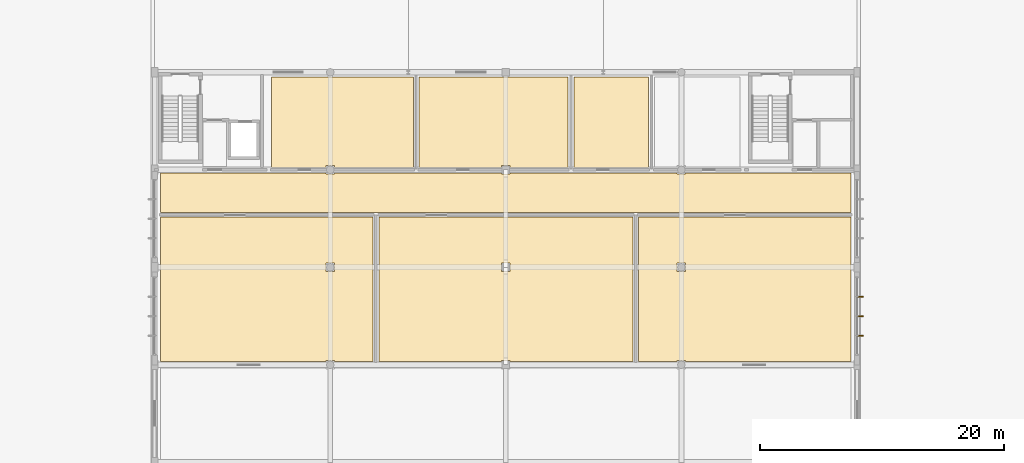
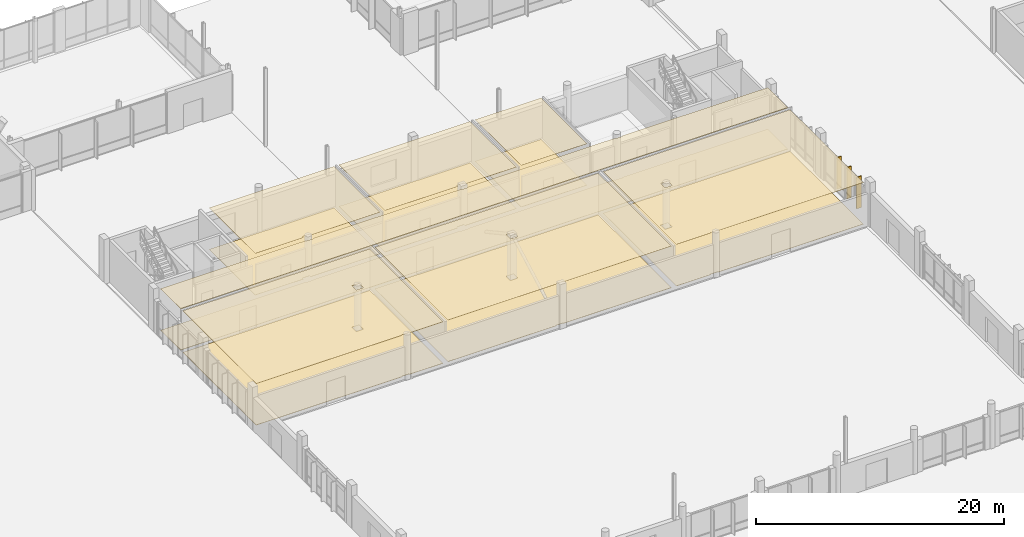
# One storey, part 222 of 233: 14 coverings, 3 shading devices.
"""IFC4 building model written with IfcOpenShell, lengths in metres."""

import ifcopenshell
import ifcopenshell.guid

model = None  # the IFC model being written
_history = None  # IfcOwnerHistory: only IFC2X3 demands one
_inside = {}  # id of a spatial element -> (the spatial element, [elements in it])
_under = {}  # id of a project, library or spatial element -> (it, [spatial elements below it])
_declared = {}  # id of a project -> (the project, [libraries it declares])
_typed = {}  # id of a type object -> (the type object, [elements of that type])
_made_of = {}  # id of a material, layer set ... -> (it, [elements and type objects made of it])


def new_model(schema):
    """Start an empty IFC model of exactly this schema.

    Asked for "IFC4X3", IfcOpenShell would pick the latest addendum, in which some entities
    have other attributes; the version numbers below select the first issue.
    IFC2X3 requires an IfcOwnerHistory on every rooted entity: one is made here for all.
    """
    global model, _history
    if schema == "IFC4X3":
        model = ifcopenshell.file(schema_version=(4, 3, 0, 0))
    else:
        model = ifcopenshell.file(schema=schema)
    _inside.clear()
    _under.clear()
    _declared.clear()
    _typed.clear()
    _made_of.clear()
    _history = None
    if model.schema == "IFC2X3":
        org = make("IfcOrganization", Name="unknown")
        user = make(
            "IfcPersonAndOrganization",
            ThePerson=make("IfcPerson", FamilyName="unknown"),
            TheOrganization=org,
        )
        app = make(
            "IfcApplication",
            ApplicationDeveloper=org,
            Version="unknown",
            ApplicationFullName="unknown",
            ApplicationIdentifier="unknown",
        )
        _history = make(
            "IfcOwnerHistory",
            OwningUser=user,
            OwningApplication=app,
            ChangeAction="ADDED",
            CreationDate=0,
        )
    return model


def make(cls, **values):
    """One entity of the class cls with the attributes given. An attribute that is None is left unset."""
    return model.create_entity(
        cls, **{name: value for name, value in values.items() if value is not None}
    )


def rooted(cls, **values):
    """An entity with a GlobalId (a new one), such as an element, a storey or a relation."""
    return make(cls, GlobalId=ifcopenshell.guid.new(), OwnerHistory=_history, **values)


def si_unit(unit_type, name, prefix=None):
    """IfcSIUnit, for example si_unit("LENGTHUNIT", "METRE", prefix="MILLI")."""
    return make("IfcSIUnit", UnitType=unit_type, Prefix=prefix, Name=name)


def assignment(units):
    """IfcUnitAssignment: the units of a project."""
    return None if units is None else make("IfcUnitAssignment", Units=units)


def point(xyz):
    """IfcCartesianPoint."""
    return None if xyz is None else make("IfcCartesianPoint", Coordinates=xyz)


def direction(xyz):
    """IfcDirection."""
    return None if xyz is None else make("IfcDirection", DirectionRatios=xyz)


def frame(location, z_axis=None, x_axis=None):
    """IfcAxis2Placement3D, a coordinate frame: its origin and axes. An axis left out is left unset."""
    return make(
        "IfcAxis2Placement3D",
        Location=point(location),
        Axis=direction(z_axis),
        RefDirection=direction(x_axis),
    )


def frame_2d(location, x_axis=None):
    """IfcAxis2Placement2D, a coordinate frame in the plane: its origin and x axis."""
    return make(
        "IfcAxis2Placement2D", Location=point(location), RefDirection=direction(x_axis)
    )


def origin():
    """The frame at (0, 0, 0) with its axes left unset."""
    return frame((0.0, 0.0, 0.0))


def origin_2d():
    """The frame at (0, 0) in the plane with its x axis left unset."""
    return frame_2d((0.0, 0.0))


def place(relative_to, where):
    """IfcLocalPlacement: puts the frame where relative to a parent placement (None: the world)."""
    return make(
        "IfcLocalPlacement", PlacementRelTo=relative_to, RelativePlacement=where
    )


def context(
    kind, dimensions, precision=None, world=None, true_north=None, identifier=None
):
    """IfcGeometricRepresentationContext, for example the 3D "Model" context."""
    return make(
        "IfcGeometricRepresentationContext",
        ContextIdentifier=identifier,
        ContextType=kind,
        CoordinateSpaceDimension=dimensions,
        Precision=precision,
        WorldCoordinateSystem=world,
        TrueNorth=true_north,
    )


def subcontext(parent, identifier, kind, view, scale=None):
    """IfcGeometricRepresentationSubContext, for example "Body" below "Model"."""
    return make(
        "IfcGeometricRepresentationSubContext",
        ContextIdentifier=identifier,
        ContextType=kind,
        ParentContext=parent,
        TargetScale=scale,
        TargetView=view,
    )


def project(units=None, contexts=None):
    """IfcProject with its units and contexts."""
    return rooted(
        "IfcProject",
        Name="project",
        RepresentationContexts=contexts,
        UnitsInContext=assignment(units),
    )


def spatial(cls, under=None, at=None, **own):
    """A site, building, storey or space (cls), placed at a placement, below another one or the project."""
    s = rooted(cls, ObjectPlacement=at, **own)
    if under is not None:
        _under.setdefault(under.id(), (under, []))[1].append(s)
    return s


def polyline(points):
    """IfcPolyline through the points."""
    return make("IfcPolyline", Points=[point(p) for p in points])


def profile(cls, at=None, kind="AREA", **sizes):
    """A parametric profile (cls). Its sizes go by their IFC names, for example OverallWidth=200.0."""
    return make(cls, ProfileType=kind, Position=at, **sizes)


def rectangle(**sizes):
    """IfcRectangleProfileDef."""
    return profile("IfcRectangleProfileDef", **sizes)


def outline(outer, holes=None, kind="AREA"):
    """IfcArbitraryClosedProfileDef: a profile drawn as a closed curve; with holes, ...WithVoids."""
    if holes is None:
        return make("IfcArbitraryClosedProfileDef", ProfileType=kind, OuterCurve=outer)
    return make(
        "IfcArbitraryProfileDefWithVoids",
        ProfileType=kind,
        OuterCurve=outer,
        InnerCurves=holes,
    )


def extrude(swept, where, along, depth):
    """IfcExtrudedAreaSolid: the profile swept, set in the frame where, extruded along a direction by depth."""
    return make(
        "IfcExtrudedAreaSolid",
        SweptArea=swept,
        Position=where,
        ExtrudedDirection=direction(along),
        Depth=depth,
    )


def shape(context_of_items, identifier, shape_type, items):
    """IfcShapeRepresentation: the items that make up one representation, for example the "Body"."""
    return make(
        "IfcShapeRepresentation",
        ContextOfItems=context_of_items,
        RepresentationIdentifier=identifier,
        RepresentationType=shape_type,
        Items=items,
    )


def material(Name=None, Category=None):
    """IfcMaterial."""
    return make("IfcMaterial", Name=Name, Category=Category)


def layer(
    of_material, thickness, ventilated=None, Name=None, Category=None, Priority=None
):
    """IfcMaterialLayer: one layer of a wall or slab, of a material (None: an air gap)."""
    return make(
        "IfcMaterialLayer",
        Material=of_material,
        LayerThickness=thickness,
        IsVentilated=ventilated,
        Name=Name,
        Category=Category,
        Priority=Priority,
    )


def layer_set(layers, Name=None):
    """IfcMaterialLayerSet."""
    return make("IfcMaterialLayerSet", MaterialLayers=layers, LayerSetName=Name)


def made_of(thing, what):
    """Note that an element or type object is made of a material, layer set ...; save() writes the relation."""
    if what is not None:
        _made_of.setdefault(what.id(), (what, []))[1].append(thing)
    return thing


def type_object(cls, material=None, **own):
    """A type object (cls), such as IfcWallType, which elements share."""
    return made_of(rooted(cls, **own), material)


def element(
    cls,
    number,
    at=None,
    inside=None,
    cuts=None,
    type_object=None,
    material=None,
    context=None,
    identifier="Body",
    shape_type=None,
    held_by="IfcProductDefinitionShape",
    body=None,
    shapes=None,
    **own,
):
    """One element of the class cls, such as IfcWall. Its Tag is "e" and its number.

    at: its placement. inside: the storey or other place that contains it. cuts: it is an
    opening in that element (IfcRelVoidsElement). A single representation is given by context,
    identifier, shape_type and body (its items); several are given by shapes. held_by: the class
    of the entity that holds the representations. save() writes the other relations.
    """
    e = rooted(cls, Tag="e%d" % number, ObjectPlacement=at, **own)
    if body is not None:
        shapes = [shape(context, identifier, shape_type, body)]
    if shapes is not None:
        e.Representation = make(held_by, Representations=shapes)
    if inside is not None:
        _inside.setdefault(inside.id(), (inside, []))[1].append(e)
    if cuts is not None:
        rooted(
            "IfcRelVoidsElement", RelatingBuildingElement=cuts, RelatedOpeningElement=e
        )
    if type_object is not None:
        _typed.setdefault(type_object.id(), (type_object, []))[1].append(e)
    return made_of(e, material)


def aggregate(whole, parts):
    """IfcRelAggregates: a whole, such as a stair, and the parts it consists of."""
    return rooted("IfcRelAggregates", RelatingObject=whole, RelatedObjects=parts)


def save(model, path):
    """Write the relations noted so far, then the file.

    IfcRelAggregates (storeys below a building ...), IfcRelContainedInSpatialStructure (elements
    in a storey), IfcRelDefinesByType, IfcRelAssociatesMaterial and IfcRelDeclares: one each for
    every whole, place, type object, material and project.
    """
    for whole, parts in _under.values():
        aggregate(whole, parts)
    for where, things in _inside.values():
        rooted(
            "IfcRelContainedInSpatialStructure",
            RelatedElements=things,
            RelatingStructure=where,
        )
    for kind, things in _typed.values():
        rooted("IfcRelDefinesByType", RelatedObjects=things, RelatingType=kind)
    for what, things in _made_of.values():
        rooted("IfcRelAssociatesMaterial", RelatedObjects=things, RelatingMaterial=what)
    for by, libraries in _declared.values():
        rooted("IfcRelDeclares", RelatingContext=by, RelatedDefinitions=libraries)
    model.write(path)


model = new_model("IFC4")

# Units and contexts
model_context = context("Model", 3, precision=1e-05, world=origin(), true_north=direction((0.0, 1.0)))
body_context = subcontext(model_context, "Body", "Model", "MODEL_VIEW")
ifc_project = project(units=[si_unit("LENGTHUNIT", "METRE"), si_unit("AREAUNIT", "SQUARE_METRE"), si_unit("VOLUMEUNIT", "CUBIC_METRE"), si_unit("PLANEANGLEUNIT", "RADIAN"), si_unit("MASSUNIT", "GRAM", prefix="KILO")], contexts=[model_context])

# Site, building, storey
site_placement = place(None, origin())
site = spatial("IfcSite", under=ifc_project, at=site_placement, CompositionType="ELEMENT")
building_placement = place(site_placement, origin())
building = spatial("IfcBuilding", under=site, at=building_placement, Name="Zavelmont Quarter", CompositionType="ELEMENT")
storey_placement = place(building_placement, origin())
storey = spatial("IfcBuildingStorey", under=building, at=storey_placement, Name="L00", CompositionType="ELEMENT", Elevation=0.0)

# Coverings
ifc_material_1 = material(Name="Perforated acoustic gypsum board")
ifc_layer_1 = layer(ifc_material_1, 0.02490234375)
ifc_layer_set_1 = layer_set([ifc_layer_1], Name="Perforated acoustic gypsum board")
covering_type_1 = type_object("IfcCoveringType", Name="CV-CL01", PredefinedType="CEILING", material=ifc_layer_set_1)
covering_1_placement = place(storey_placement, frame((0.0, 0.0, 4.094970703125)))
element("IfcCovering", 1, at=covering_1_placement, inside=storey, type_object=covering_type_1, Name="L00 Multipurpose Civic Studio acoustic ceiling", PredefinedType="CEILING", context=body_context, shape_type="SweptSolid", body=[
    extrude(outline(polyline([(73.580078125, 74.1201171875), (94.419921875, 74.1201171875), (94.419921875, 62.280029296875), (84.340087890625, 62.280029296875), (84.340087890625, 62.340087890625), (83.659912109375, 62.340087890625), (83.659912109375, 62.280029296875), (73.580078125, 62.280029296875), (73.580078125, 74.1201171875)]), holes=[polyline([(84.340087890625, 70.340087890625), (83.659912109375, 70.340087890625), (83.659912109375, 69.659912109375), (84.340087890625, 69.659912109375), (84.340087890625, 70.340087890625)])]), origin(), (0.0, 0.0, 1.0), 0.025146484375),
])
covering_2_placement = place(storey_placement, frame((0.0, 0.0, 4.094970703125)))
element("IfcCovering", 2, at=covering_2_placement, inside=storey, type_object=covering_type_1, Name="L00 Catering Kitchen and Serveries acoustic ceiling", PredefinedType="CEILING", context=body_context, shape_type="SweptSolid", body=[
    extrude(outline(polyline([(94.8798828125, 74.1201171875), (112.320068359375, 74.1201171875), (112.320068359375, 62.280029296875), (98.739990234375, 62.280029296875), (98.739990234375, 62.340087890625), (98.06005859375, 62.340087890625), (98.06005859375, 62.280029296875), (94.8798828125, 62.280029296875), (94.8798828125, 74.1201171875)]), holes=[polyline([(98.739990234375, 70.340087890625), (98.06005859375, 70.340087890625), (98.06005859375, 69.659912109375), (98.739990234375, 69.659912109375), (98.739990234375, 70.340087890625)])]), origin(), (0.0, 0.0, 1.0), 0.025146484375),
])
ifc_material_2 = material(Name="Slatted European ash acoustic baffle ceiling")
ifc_layer_2 = layer(ifc_material_2, 0.0400390625)
ifc_layer_set_2 = layer_set([ifc_layer_2], Name="Slatted European ash acoustic baffle ceiling")
covering_type_2 = type_object("IfcCoveringType", Name="CV-CL02", PredefinedType="CEILING", material=ifc_layer_set_2)
covering_3_placement = place(storey_placement, frame((0.0, 0.0, 4.080078125)))
element("IfcCovering", 3, at=covering_3_placement, inside=storey, type_object=covering_type_2, Name="L00 Community Hall Foyer Corridor acoustic ceiling", PredefinedType="CEILING", context=body_context, shape_type="SweptSolid", body=[
    extrude(outline(polyline([(55.679931640625, 77.719970703125), (69.260009765625, 77.719970703125), (69.260009765625, 77.659912109375), (69.93994140625, 77.659912109375), (69.93994140625, 77.719970703125), (83.659912109375, 77.719970703125), (83.659912109375, 77.659912109375), (84.340087890625, 77.659912109375), (84.340087890625, 77.719970703125), (98.06005859375, 77.719970703125), (98.06005859375, 77.659912109375), (98.739990234375, 77.659912109375), (98.739990234375, 77.719970703125), (112.320068359375, 77.719970703125), (112.320068359375, 74.47998046875), (55.679931640625, 74.47998046875), (55.679931640625, 77.719970703125)])), origin(), (0.0, 0.0, 1.0), 0.0400390625),
])
covering_4_placement = place(storey_placement, frame((0.0, 0.0, 4.080078125)))
element("IfcCovering", 4, at=covering_4_placement, inside=storey, type_object=covering_type_2, Name="L00 Civic Exhibition Gallery acoustic ceiling", PredefinedType="CEILING", context=body_context, shape_type="SweptSolid", body=[
    extrude(outline(polyline([(55.679931640625, 74.1201171875), (73.1201171875, 74.1201171875), (73.1201171875, 62.280029296875), (69.93994140625, 62.280029296875), (69.93994140625, 62.340087890625), (69.260009765625, 62.340087890625), (69.260009765625, 62.280029296875), (55.679931640625, 62.280029296875), (55.679931640625, 74.1201171875)]), holes=[polyline([(69.93994140625, 69.659912109375), (69.93994140625, 70.340087890625), (69.260009765625, 70.340087890625), (69.260009765625, 69.659912109375), (69.93994140625, 69.659912109375)])]), origin(), (0.0, 0.0, 1.0), 0.0400390625),
])
ifc_material_3 = material(Name="Moisture-resistant painted gypsum ceiling")
ifc_layer_3 = layer(ifc_material_3, 0.02001953125)
ifc_layer_set_3 = layer_set([ifc_layer_3], Name="Moisture-resistant painted gypsum ceiling")
covering_type_3 = type_object("IfcCoveringType", Name="CV-CL04", PredefinedType="CEILING", material=ifc_layer_set_3)
covering_5_placement = place(storey_placement, frame((0.0, 0.0, 4.10009765625)))
element("IfcCovering", 5, at=covering_5_placement, inside=storey, type_object=covering_type_3, Name="L00 Public Male Toilets acoustic ceiling", PredefinedType="CEILING", context=body_context, shape_type="SweptSolid", body=[
    extrude(outline(polyline([(64.780029296875, 85.6201171875), (76.419921875, 85.6201171875), (76.419921875, 78.179931640625), (69.93994140625, 78.179931640625), (69.93994140625, 78.340087890625), (69.260009765625, 78.340087890625), (69.260009765625, 78.179931640625), (64.780029296875, 78.179931640625), (64.780029296875, 85.6201171875)])), origin(), (0.0, 0.0, 1.0), 0.02001953125),
])
covering_6_placement = place(storey_placement, frame((0.0, 0.0, 4.10009765625)))
element("IfcCovering", 6, at=covering_6_placement, inside=storey, type_object=covering_type_3, Name="L00 Public Female Toilets acoustic ceiling", PredefinedType="CEILING", context=body_context, shape_type="SweptSolid", body=[
    extrude(outline(polyline([(76.8798828125, 85.6201171875), (89.1201171875, 85.6201171875), (89.1201171875, 78.179931640625), (84.340087890625, 78.179931640625), (84.340087890625, 78.340087890625), (83.659912109375, 78.340087890625), (83.659912109375, 78.179931640625), (76.8798828125, 78.179931640625), (76.8798828125, 85.6201171875)])), origin(), (0.0, 0.0, 1.0), 0.02001953125),
])
covering_7_placement = place(storey_placement, frame((0.0, 0.0, 4.10009765625)))
element("IfcCovering", 7, at=covering_7_placement, inside=storey, type_object=covering_type_3, Name="L00 Hall Accessible Toilet acoustic ceiling", PredefinedType="CEILING", context=body_context, shape_type="SweptSolid", body=[
    extrude(outline(polyline([(89.580078125, 85.6201171875), (95.719970703125, 85.6201171875), (95.719970703125, 78.179931640625), (89.580078125, 78.179931640625), (89.580078125, 85.6201171875)])), origin(), (0.0, 0.0, 1.0), 0.02001953125),
])
ifc_material_4 = material(Name="Engineered European oak parquet")
ifc_layer_4 = layer(ifc_material_4, 0.02197265625)
ifc_layer_set_4 = layer_set([ifc_layer_4], Name="Engineered European oak parquet")
covering_type_4 = type_object("IfcCoveringType", Name="CV-FL01", PredefinedType="FLOORING", material=ifc_layer_set_4)
covering_8_placement = place(storey_placement, origin())
element("IfcCovering", 8, at=covering_8_placement, inside=storey, type_object=covering_type_4, Name="L00 Multipurpose Civic Studio floor finish", PredefinedType="FLOORING", context=body_context, shape_type="SweptSolid", body=[
    extrude(outline(polyline([(73.580078125, 74.1201171875), (94.419921875, 74.1201171875), (94.419921875, 62.280029296875), (84.340087890625, 62.280029296875), (84.340087890625, 62.340087890625), (83.659912109375, 62.340087890625), (83.659912109375, 62.280029296875), (73.580078125, 62.280029296875), (73.580078125, 74.1201171875)]), holes=[polyline([(84.340087890625, 70.340087890625), (83.659912109375, 70.340087890625), (83.659912109375, 69.659912109375), (84.340087890625, 69.659912109375), (84.340087890625, 70.340087890625)])]), origin(), (0.0, 0.0, 1.0), 0.02197265625),
])
covering_9_placement = place(storey_placement, origin())
element("IfcCovering", 9, at=covering_9_placement, inside=storey, type_object=covering_type_4, Name="L00 Catering Kitchen and Serveries floor finish", PredefinedType="FLOORING", context=body_context, shape_type="SweptSolid", body=[
    extrude(outline(polyline([(94.8798828125, 74.1201171875), (112.320068359375, 74.1201171875), (112.320068359375, 62.280029296875), (98.739990234375, 62.280029296875), (98.739990234375, 62.340087890625), (98.06005859375, 62.340087890625), (98.06005859375, 62.280029296875), (94.8798828125, 62.280029296875), (94.8798828125, 74.1201171875)]), holes=[polyline([(98.739990234375, 70.340087890625), (98.06005859375, 70.340087890625), (98.06005859375, 69.659912109375), (98.739990234375, 69.659912109375), (98.739990234375, 70.340087890625)])]), origin(), (0.0, 0.0, 1.0), 0.02197265625),
])
ifc_material_5 = material(Name="Honed Belgian bluestone tile", Category="masonry")
ifc_layer_5 = layer(ifc_material_5, 0.030029296875)
ifc_layer_set_5 = layer_set([ifc_layer_5], Name="Honed Belgian bluestone tile")
covering_type_5 = type_object("IfcCoveringType", Name="CV-FL02", PredefinedType="FLOORING", material=ifc_layer_set_5)
covering_10_placement = place(storey_placement, origin())
element("IfcCovering", 10, at=covering_10_placement, inside=storey, type_object=covering_type_5, Name="L00 Community Hall Foyer Corridor floor finish", PredefinedType="FLOORING", context=body_context, shape_type="SweptSolid", body=[
    extrude(outline(polyline([(55.679931640625, 77.719970703125), (69.260009765625, 77.719970703125), (69.260009765625, 77.659912109375), (69.93994140625, 77.659912109375), (69.93994140625, 77.719970703125), (83.659912109375, 77.719970703125), (83.659912109375, 77.659912109375), (84.340087890625, 77.659912109375), (84.340087890625, 77.719970703125), (98.06005859375, 77.719970703125), (98.06005859375, 77.659912109375), (98.739990234375, 77.659912109375), (98.739990234375, 77.719970703125), (112.320068359375, 77.719970703125), (112.320068359375, 74.47998046875), (55.679931640625, 74.47998046875), (55.679931640625, 77.719970703125)])), origin(), (0.0, 0.0, 1.0), 0.030029296875),
])
covering_11_placement = place(storey_placement, origin())
element("IfcCovering", 11, at=covering_11_placement, inside=storey, type_object=covering_type_5, Name="L00 Civic Exhibition Gallery floor finish", PredefinedType="FLOORING", context=body_context, shape_type="SweptSolid", body=[
    extrude(outline(polyline([(55.679931640625, 74.1201171875), (73.1201171875, 74.1201171875), (73.1201171875, 62.280029296875), (69.93994140625, 62.280029296875), (69.93994140625, 62.340087890625), (69.260009765625, 62.340087890625), (69.260009765625, 62.280029296875), (55.679931640625, 62.280029296875), (55.679931640625, 74.1201171875)]), holes=[polyline([(69.93994140625, 69.659912109375), (69.93994140625, 70.340087890625), (69.260009765625, 70.340087890625), (69.260009765625, 69.659912109375), (69.93994140625, 69.659912109375)])]), origin(), (0.0, 0.0, 1.0), 0.030029296875),
])
ifc_material_6 = material(Name="Slip-resistant porcelain tile")
ifc_layer_6 = layer(ifc_material_6, 0.02587890625)
ifc_layer_set_6 = layer_set([ifc_layer_6], Name="Slip-resistant porcelain tile")
covering_type_6 = type_object("IfcCoveringType", Name="CV-FL04", PredefinedType="FLOORING", material=ifc_layer_set_6)
covering_12_placement = place(storey_placement, origin())
element("IfcCovering", 12, at=covering_12_placement, inside=storey, type_object=covering_type_6, Name="L00 Public Male Toilets floor finish", PredefinedType="FLOORING", context=body_context, shape_type="SweptSolid", body=[
    extrude(outline(polyline([(64.780029296875, 85.6201171875), (76.419921875, 85.6201171875), (76.419921875, 78.179931640625), (69.93994140625, 78.179931640625), (69.93994140625, 78.340087890625), (69.260009765625, 78.340087890625), (69.260009765625, 78.179931640625), (64.780029296875, 78.179931640625), (64.780029296875, 85.6201171875)])), origin(), (0.0, 0.0, 1.0), 0.02587890625),
])
covering_13_placement = place(storey_placement, origin())
element("IfcCovering", 13, at=covering_13_placement, inside=storey, type_object=covering_type_6, Name="L00 Public Female Toilets floor finish", PredefinedType="FLOORING", context=body_context, shape_type="SweptSolid", body=[
    extrude(outline(polyline([(76.8798828125, 85.6201171875), (89.1201171875, 85.6201171875), (89.1201171875, 78.179931640625), (84.340087890625, 78.179931640625), (84.340087890625, 78.340087890625), (83.659912109375, 78.340087890625), (83.659912109375, 78.179931640625), (76.8798828125, 78.179931640625), (76.8798828125, 85.6201171875)])), origin(), (0.0, 0.0, 1.0), 0.02587890625),
])
covering_14_placement = place(storey_placement, origin())
element("IfcCovering", 14, at=covering_14_placement, inside=storey, type_object=covering_type_6, Name="L00 Hall Accessible Toilet floor finish", PredefinedType="FLOORING", context=body_context, shape_type="SweptSolid", body=[
    extrude(outline(polyline([(89.580078125, 85.6201171875), (95.719970703125, 85.6201171875), (95.719970703125, 78.179931640625), (89.580078125, 78.179931640625), (89.580078125, 85.6201171875)])), origin(), (0.0, 0.0, 1.0), 0.02587890625),
])

# Shading devices
ifc_material_7 = material(Name="Anodised aluminium EN AW-6063-T6", Category="aluminium")
shading_device_type = type_object("IfcShadingDeviceType", Name="SD02", PredefinedType="JALOUSIE", material=ifc_material_7)
for number, where, z_axis, x_axis, name in (
    (15, (113.114990234375, 64.39990234375, 0.050048828125), (0.0, 0.0, 1.0), (0.0, 1.0, 0.0), "L00 solar brise-soleil fin SD02"),
    (16, (113.114990234375, 66.0, 0.050048828125), (0.0, 0.0, 1.0), (0.0, 1.0, 0.0), "L00 solar brise-soleil fin SD02"),
    (17, (113.114990234375, 67.60009765625, 0.050048828125), (0.0, 0.0, 1.0), (0.0, 1.0, 0.0), "L00 solar brise-soleil fin SD02"),
):
    element("IfcShadingDevice", number, at=place(storey_placement, frame(where, z_axis=z_axis, x_axis=x_axis)), inside=storey, type_object=shading_device_type, Name=name, PredefinedType="JALOUSIE", context=body_context, shape_type="SweptSolid", body=[
        extrude(rectangle(XDim=0.080078125, YDim=0.449951171875, at=origin_2d()), origin(), (0.0, 0.0, 1.0), 3.10009765625),
    ])

save(model, "model.ifc")
